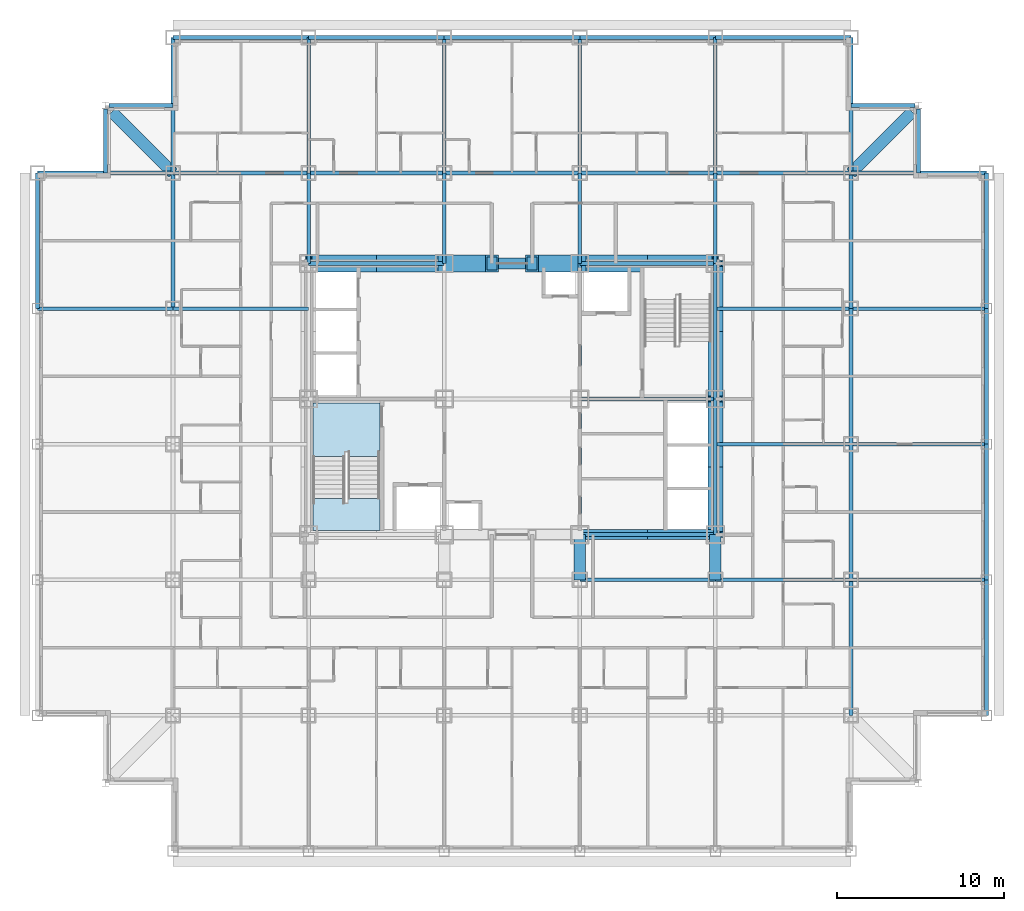
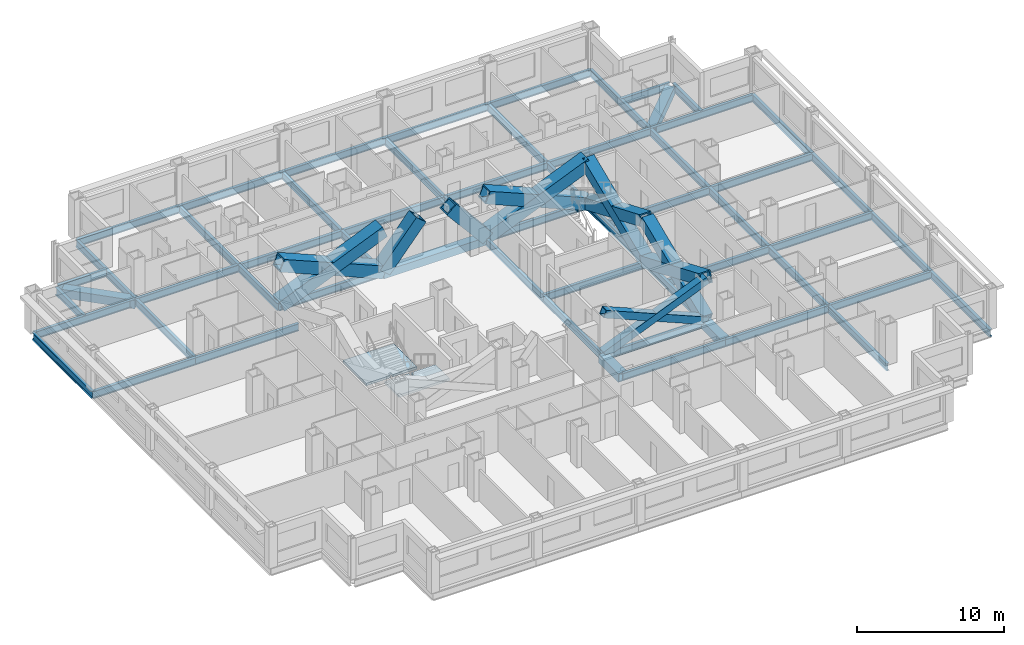
# One storey, part 2 of 12: 58 beams, 12 members, 2 slabs, 1 element without a shape of its own.
"""IFC4 building model written with IfcOpenShell, lengths in metres."""

from ifc_helpers import new_model, si_unit, direction, frame, origin, origin_2d, place, context, subcontext, project, spatial, polyline, hollow_rectangle, i_section, outline, extrude, material, layer, layer_set, material_profile, profile_set, type_object, element, aggregate, save


model = new_model("IFC4")

# Units and contexts
model_context = context("Model", 3, precision=1e-05, world=origin(), true_north=direction((0.0, 1.0)))
body_context = subcontext(model_context, "Body", "Model", "MODEL_VIEW")
ifc_project = project(units=[si_unit("LENGTHUNIT", "METRE"), si_unit("AREAUNIT", "SQUARE_METRE"), si_unit("VOLUMEUNIT", "CUBIC_METRE"), si_unit("PLANEANGLEUNIT", "RADIAN"), si_unit("MASSUNIT", "GRAM", prefix="KILO")], contexts=[model_context])

# Site, building, storey
site_placement = place(None, origin())
site = spatial("IfcSite", under=ifc_project, at=site_placement, CompositionType="ELEMENT")
building_placement = place(site_placement, origin())
building = spatial("IfcBuilding", under=site, at=building_placement, Name="Kopane Lantern Tower", CompositionType="ELEMENT")
storey_placement = place(building_placement, frame((0.0, 0.0, 117.0)))
storey = spatial("IfcBuildingStorey", under=building, at=storey_placement, Name="L29", CompositionType="ELEMENT", Elevation=117.0)

# Members
ifc_material_1 = material(Name="Steel S355JR", Category="steel")
ifc_material_profile_1 = material_profile(ifc_material_1, hollow_rectangle(XDim=1.0, YDim=1.0, WallThickness=0.10009765625, at=origin_2d()), Name="BOX 1000x1000x100")
ifc_profile_set_1 = profile_set([ifc_material_profile_1], Name="Steel S355JR")
member_type_1 = type_object("IfcMemberType", Name="BRACE BOX 1000x1000x100", PredefinedType="BRACE", material=ifc_profile_set_1)
for number, where, z_axis, x_axis, name in (
    (1, (16.199951171875, 40.5, -0.2099609375), (0.922069000757, 0.0, 0.387025526088), (0.0, 1.0, 0.0), "Core brace L29"),
    (2, (24.300048828125, 40.5, -0.2099609375), (-0.922069000757, 0.0, 0.387025526088), (0.0, -1.0, 0.0), "Core brace L29"),
):
    element("IfcMember", number, at=place(storey_placement, frame(where, z_axis=z_axis, x_axis=x_axis)), inside=storey, type_object=member_type_1, Name=name, PredefinedType="BRACE", context=body_context, shape_type="SweptSolid", body=[
        extrude(hollow_rectangle(XDim=1.0, YDim=1.0, WallThickness=0.10009765625, at=origin_2d()), origin(), (0.0, 0.0, 1.0), 8.78466796875),
    ])
for number, where, z_axis, x_axis, name in (
    (3, (24.300048828125, 40.5, -0.2099609375), (0.642390257445, 0.0, 0.7663776857), (0.0, 1.0, 0.0), "Core brace L29"),
    (4, (32.39990234375, 40.5, -0.2099609375), (-0.642390257445, 0.0, 0.7663776857), (0.0, -1.0, 0.0), "Core brace L29"),
):
    element("IfcMember", number, at=place(storey_placement, frame(where, z_axis=z_axis, x_axis=x_axis)), inside=storey, type_object=member_type_1, Name=name, PredefinedType="BRACE", context=body_context, shape_type="SweptSolid", body=[
        extrude(hollow_rectangle(XDim=1.0, YDim=1.0, WallThickness=0.10009765625, at=origin_2d()), origin(), (0.0, 0.0, 1.0), 4.436279296875),
    ])
for number, where, z_axis, x_axis, name in (
    (5, (32.39990234375, 40.5, -0.2099609375), (0.922069000757, 0.0, 0.387025526088), (0.0, 1.0, 0.0), "Core brace L29"),
    (6, (40.5, 40.5, -0.2099609375), (-0.922069000757, 0.0, 0.387025526088), (0.0, -1.0, 0.0), "Core brace L29"),
):
    element("IfcMember", number, at=place(storey_placement, frame(where, z_axis=z_axis, x_axis=x_axis)), inside=storey, type_object=member_type_1, Name=name, PredefinedType="BRACE", context=body_context, shape_type="SweptSolid", body=[
        extrude(hollow_rectangle(XDim=1.0, YDim=1.0, WallThickness=0.10009765625, at=origin_2d()), origin(), (0.0, 0.0, 1.0), 8.78466796875),
    ])
ifc_material_2 = material(Name="Steel S355JR", Category="steel")
ifc_material_profile_2 = material_profile(ifc_material_2, hollow_rectangle(XDim=0.60009765625, YDim=0.60009765625, WallThickness=0.050048828125, at=origin_2d()), Name="BOX 600x600x50")
ifc_profile_set_2 = profile_set([ifc_material_profile_2], Name="Steel S355JR")
member_type_2 = type_object("IfcMemberType", Name="BRACE BOX 600x600x50", PredefinedType="BRACE", material=ifc_profile_set_2)
for number, where, z_axis, x_axis, name in (
    (7, (32.39990234375, 24.300048828125, -0.2099609375), (0.922069000757, 0.0, 0.387025526088), (0.0, 1.0, 0.0), "Core brace L29"),
    (8, (40.5, 24.300048828125, -0.2099609375), (-0.922069000757, 0.0, 0.387025526088), (0.0, -1.0, 0.0), "Core brace L29"),
):
    element("IfcMember", number, at=place(storey_placement, frame(where, z_axis=z_axis, x_axis=x_axis)), inside=storey, type_object=member_type_2, Name=name, PredefinedType="BRACE", context=body_context, shape_type="SweptSolid", body=[
        extrude(hollow_rectangle(XDim=0.60009765625, YDim=0.60009765625, WallThickness=0.050048828125, at=origin_2d()), origin(), (0.0, 0.0, 1.0), 8.78466796875),
    ])
ifc_material_3 = material(Name="Steel S355JR", Category="steel")
ifc_material_profile_3 = material_profile(ifc_material_3, hollow_rectangle(XDim=0.89990234375, YDim=0.89990234375, WallThickness=0.090087890625, at=origin_2d()), Name="BOX 900x900x90")
ifc_profile_set_3 = profile_set([ifc_material_profile_3], Name="Steel S355JR")
member_type_3 = type_object("IfcMemberType", Name="BRACE BOX 900x900x90", PredefinedType="BRACE", material=ifc_profile_set_3)
for number, where, z_axis, x_axis, name in (
    (9, (40.5, 24.300048828125, -0.2099609375), (0.0, 0.922064837731, 0.38703544414), (-1.0, 0.0, 0.0), "Core brace L29"),
    (10, (40.5, 32.39990234375, -0.2099609375), (0.0, -0.922064837731, 0.38703544414), (1.0, 0.0, 0.0), "Core brace L29"),
):
    element("IfcMember", number, at=place(storey_placement, frame(where, z_axis=z_axis, x_axis=x_axis)), inside=storey, type_object=member_type_3, Name=name, PredefinedType="BRACE", context=body_context, shape_type="SweptSolid", body=[
        extrude(hollow_rectangle(XDim=0.89990234375, YDim=0.89990234375, WallThickness=0.090087890625, at=origin_2d()), origin(), (0.0, 0.0, 1.0), 8.784423828125),
    ])
for number, where, z_axis, x_axis, name in (
    (11, (40.5, 32.39990234375, -0.2099609375), (0.0, 0.922069000757, 0.387025526088), (-1.0, 0.0, 0.0), "Core brace L29"),
    (12, (40.5, 40.5, -0.2099609375), (0.0, -0.922069000757, 0.387025526088), (1.0, 0.0, 0.0), "Core brace L29"),
):
    element("IfcMember", number, at=place(storey_placement, frame(where, z_axis=z_axis, x_axis=x_axis)), inside=storey, type_object=member_type_3, Name=name, PredefinedType="BRACE", context=body_context, shape_type="SweptSolid", body=[
        extrude(hollow_rectangle(XDim=0.89990234375, YDim=0.89990234375, WallThickness=0.090087890625, at=origin_2d()), origin(), (0.0, 0.0, 1.0), 8.78466796875),
    ])

# Beams
ifc_material_4 = material(Name="Steel S355JR", Category="steel")
ifc_material_profile_4 = material_profile(ifc_material_4, i_section(OverallWidth=0.22900390625, OverallDepth=0.6123046875, WebThickness=0.011962890625, FlangeThickness=0.01953125, FilletRadius=0.0126953125, at=origin_2d()), Name="UB 610x229x125")
ifc_profile_set_4 = profile_set([ifc_material_profile_4], Name="Steel S355JR")
beam_type_1 = type_object("IfcBeamType", Name="CORE BEAM UB 610x229x125", PredefinedType="BEAM", material=ifc_profile_set_4)
beam_1_placement = place(storey_placement, frame((32.39990234375, 24.300048828125, -0.51611328125), z_axis=(0.0, 1.0, 0.0), x_axis=(-1.0, 0.0, 0.0)))
element("IfcBeam", 13, at=beam_1_placement, inside=storey, type_object=beam_type_1, Name="Core Beam L29", PredefinedType="BEAM", context=body_context, shape_type="SweptSolid", body=[
    extrude(i_section(OverallWidth=0.22900390625, OverallDepth=0.6123046875, WebThickness=0.011962890625, FlangeThickness=0.01953125, FilletRadius=0.0126953125, at=origin_2d()), origin(), (0.0, 0.0, 1.0), 8.099853515625),
])
for number, where, z_axis, x_axis, name in (
    (14, (32.39990234375, 32.39990234375, -0.51611328125), (0.0, 1.0, 0.0), (-1.0, 0.0, 0.0), "Core Beam L29"),
    (15, (32.39990234375, 32.39990234375, -0.51611328125), (1.0, 0.0, 0.0), (0.0, 1.0, 0.0), "Core Beam L29"),
):
    element("IfcBeam", number, at=place(storey_placement, frame(where, z_axis=z_axis, x_axis=x_axis)), inside=storey, type_object=beam_type_1, Name=name, PredefinedType="BEAM", context=body_context, shape_type="SweptSolid", body=[
        extrude(i_section(OverallWidth=0.22900390625, OverallDepth=0.6123046875, WebThickness=0.011962890625, FlangeThickness=0.01953125, FilletRadius=0.0126953125, at=origin_2d()), origin(), (0.0, 0.0, 1.0), 8.10009765625),
    ])
ifc_material_5 = material(Name="Steel S355JR", Category="steel")
ifc_material_profile_5 = material_profile(ifc_material_5, hollow_rectangle(XDim=0.699951171875, YDim=0.699951171875, WallThickness=0.06005859375, at=origin_2d()), Name="BOX 700x700x60")
ifc_profile_set_5 = profile_set([ifc_material_profile_5], Name="Steel S355JR")
beam_type_2 = type_object("IfcBeamType", Name="CORNER TIE BEAM BOX 700x700x60", PredefinedType="BEAM", material=ifc_profile_set_5)
beam_2_placement = place(storey_placement, frame((4.447509765625, 49.552490234375, -0.56005859375), z_axis=(0.707106781187, -0.707106781187, 0.0), x_axis=(0.707106781187, 0.707106781187, 0.0)))
element("IfcBeam", 16, at=beam_2_placement, inside=storey, type_object=beam_type_2, Name="Corner Tie Beam L29", PredefinedType="BEAM", context=body_context, shape_type="SweptSolid", body=[
    extrude(hollow_rectangle(XDim=0.699951171875, YDim=0.699951171875, WallThickness=0.06005859375, at=origin_2d()), origin(), (0.0, 0.0, 1.0), 5.16552734375),
])
beam_3_placement = place(storey_placement, frame((52.25244140625, 49.552490234375, -0.56005859375), z_axis=(-0.707083148333, -0.70713041325, 0.0), x_axis=(0.70713041325, -0.707083148333, 0.0)))
element("IfcBeam", 17, at=beam_3_placement, inside=storey, type_object=beam_type_2, Name="Corner Tie Beam L29", PredefinedType="BEAM", context=body_context, shape_type="SweptSolid", body=[
    extrude(hollow_rectangle(XDim=0.699951171875, YDim=0.699951171875, WallThickness=0.06005859375, at=origin_2d()), origin(), (0.0, 0.0, 1.0), 5.165283203125),
])
ifc_material_6 = material(Name="Steel S355JR", Category="steel")
ifc_material_profile_6 = material_profile(ifc_material_6, i_section(OverallWidth=0.22900390625, OverallDepth=0.6123046875, WebThickness=0.011962890625, FlangeThickness=0.01953125, FilletRadius=0.0126953125, at=origin_2d()), Name="UB 610x229x125")
ifc_profile_set_6 = profile_set([ifc_material_profile_6], Name="Steel S355JR")
beam_type_3 = type_object("IfcBeamType", Name="EDGE BEAM UB 610x229x125", PredefinedType="BEAM", material=ifc_profile_set_6)
for number, where, z_axis, x_axis, name in (
    (18, (4.050048828125, 49.74658203125, -0.51611328125), (0.0, -1.0, 0.0), (1.0, 0.0, 0.0), "Edge Beam L29"),
    (19, (4.25341796875, 49.949951171875, -0.51611328125), (1.0, 0.0, 0.0), (0.0, 1.0, 0.0), "Edge Beam L29"),
):
    element("IfcBeam", number, at=place(storey_placement, frame(where, z_axis=z_axis, x_axis=x_axis)), inside=storey, type_object=beam_type_3, Name=name, PredefinedType="BEAM", context=body_context, shape_type="SweptSolid", body=[
        extrude(i_section(OverallWidth=0.22900390625, OverallDepth=0.6123046875, WebThickness=0.011962890625, FlangeThickness=0.01953125, FilletRadius=0.0126953125, at=origin_2d()), origin(), (0.0, 0.0, 1.0), 3.8466796875),
    ])
beam_4_placement = place(storey_placement, frame((52.446533203125, 49.949951171875, -0.51611328125), z_axis=(-1.0, 0.0, 0.0), x_axis=(0.0, -1.0, 0.0)))
element("IfcBeam", 20, at=beam_4_placement, inside=storey, type_object=beam_type_3, Name="Edge Beam L29", PredefinedType="BEAM", context=body_context, shape_type="SweptSolid", body=[
    extrude(i_section(OverallWidth=0.22900390625, OverallDepth=0.6123046875, WebThickness=0.011962890625, FlangeThickness=0.01953125, FilletRadius=0.0126953125, at=origin_2d()), origin(), (0.0, 0.0, 1.0), 3.846435546875),
])
beam_5_placement = place(storey_placement, frame((52.64990234375, 49.74658203125, -0.51611328125), z_axis=(0.0, -1.0, 0.0), x_axis=(1.0, 0.0, 0.0)))
element("IfcBeam", 21, at=beam_5_placement, inside=storey, type_object=beam_type_3, Name="Edge Beam L29", PredefinedType="BEAM", context=body_context, shape_type="SweptSolid", body=[
    extrude(i_section(OverallWidth=0.22900390625, OverallDepth=0.6123046875, WebThickness=0.011962890625, FlangeThickness=0.01953125, FilletRadius=0.0126953125, at=origin_2d()), origin(), (0.0, 0.0, 1.0), 3.8466796875),
])
ifc_material_7 = material(Name="Steel S355JR", Category="steel")
ifc_material_profile_7 = material_profile(ifc_material_7, hollow_rectangle(XDim=0.699951171875, YDim=0.699951171875, WallThickness=0.06005859375, at=origin_2d()), Name="BOX 700x700x60")
ifc_profile_set_7 = profile_set([ifc_material_profile_7], Name="Steel S355JR")
beam_type_4 = type_object("IfcBeamType", Name="GIRDER BOX 700x700x60", PredefinedType="BEAM", material=ifc_profile_set_7)
for number, where, z_axis, x_axis, name in (
    (22, (32.39990234375, 21.60009765625, -0.56005859375), (0.0, 1.0, 0.0), (-1.0, 0.0, 0.0), "Girder L29"),
    (23, (40.5, 21.60009765625, -0.56005859375), (0.0, 1.0, 0.0), (-1.0, 0.0, 0.0), "Girder L29"),
):
    element("IfcBeam", number, at=place(storey_placement, frame(where, z_axis=z_axis, x_axis=x_axis)), inside=storey, type_object=beam_type_4, Name=name, PredefinedType="BEAM", context=body_context, shape_type="SweptSolid", body=[
        extrude(hollow_rectangle(XDim=0.699951171875, YDim=0.699951171875, WallThickness=0.06005859375, at=origin_2d()), origin(), (0.0, 0.0, 1.0), 2.699951171875),
    ])
ifc_material_8 = material(Name="Steel S355JR", Category="steel")
ifc_material_profile_8 = material_profile(ifc_material_8, i_section(OverallWidth=0.22900390625, OverallDepth=0.6123046875, WebThickness=0.011962890625, FlangeThickness=0.01953125, FilletRadius=0.0126953125, at=origin_2d()), Name="UB 610x229x125")
ifc_profile_set_8 = profile_set([ifc_material_profile_8], Name="Steel S355JR")
beam_type_5 = type_object("IfcBeamType", Name="GIRDER UB 610x229x125", PredefinedType="BEAM", material=ifc_profile_set_8)
beam_6_placement = place(storey_placement, frame((0.0, 37.800048828125, -0.51611328125), z_axis=(0.0, 1.0, 0.0), x_axis=(-1.0, 0.0, 0.0)))
element("IfcBeam", 24, at=beam_6_placement, inside=storey, type_object=beam_type_5, Name="Girder L29", PredefinedType="BEAM", context=body_context, shape_type="SweptSolid", body=[
    extrude(i_section(OverallWidth=0.22900390625, OverallDepth=0.6123046875, WebThickness=0.011962890625, FlangeThickness=0.01953125, FilletRadius=0.0126953125, at=origin_2d()), origin(), (0.0, 0.0, 1.0), 8.099853515625),
])
for number, where, z_axis, x_axis, name in (
    (25, (0.0, 37.800048828125, -0.51611328125), (1.0, 0.0, 0.0), (0.0, 1.0, 0.0), "Girder L29"),
    (26, (0.0, 45.89990234375, -0.51611328125), (1.0, 0.0, 0.0), (0.0, 1.0, 0.0), "Girder L29"),
):
    element("IfcBeam", number, at=place(storey_placement, frame(where, z_axis=z_axis, x_axis=x_axis)), inside=storey, type_object=beam_type_5, Name=name, PredefinedType="BEAM", context=body_context, shape_type="SweptSolid", body=[
        extrude(i_section(OverallWidth=0.22900390625, OverallDepth=0.6123046875, WebThickness=0.011962890625, FlangeThickness=0.01953125, FilletRadius=0.0126953125, at=origin_2d()), origin(), (0.0, 0.0, 1.0), 8.10009765625),
    ])
for number, where, z_axis, x_axis, name in (
    (27, (8.10009765625, 37.800048828125, -0.51611328125), (0.0, 1.0, 0.0), (-1.0, 0.0, 0.0), "Girder L29"),
    (28, (8.10009765625, 37.800048828125, -0.51611328125), (1.0, 0.0, 0.0), (0.0, 1.0, 0.0), "Girder L29"),
):
    element("IfcBeam", number, at=place(storey_placement, frame(where, z_axis=z_axis, x_axis=x_axis)), inside=storey, type_object=beam_type_5, Name=name, PredefinedType="BEAM", context=body_context, shape_type="SweptSolid", body=[
        extrude(i_section(OverallWidth=0.22900390625, OverallDepth=0.6123046875, WebThickness=0.011962890625, FlangeThickness=0.01953125, FilletRadius=0.0126953125, at=origin_2d()), origin(), (0.0, 0.0, 1.0), 8.099853515625),
    ])
beam_7_placement = place(storey_placement, frame((8.10009765625, 45.89990234375, -0.51611328125), z_axis=(0.0, 1.0, 0.0), x_axis=(-1.0, 0.0, 0.0)))
element("IfcBeam", 29, at=beam_7_placement, inside=storey, type_object=beam_type_5, Name="Girder L29", PredefinedType="BEAM", context=body_context, shape_type="SweptSolid", body=[
    extrude(i_section(OverallWidth=0.22900390625, OverallDepth=0.6123046875, WebThickness=0.011962890625, FlangeThickness=0.01953125, FilletRadius=0.0126953125, at=origin_2d()), origin(), (0.0, 0.0, 1.0), 8.10009765625),
])
for number, where, z_axis, x_axis, name in (
    (30, (8.10009765625, 45.89990234375, -0.51611328125), (1.0, 0.0, 0.0), (0.0, 1.0, 0.0), "Girder L29"),
    (31, (8.10009765625, 54.0, -0.51611328125), (1.0, 0.0, 0.0), (0.0, 1.0, 0.0), "Girder L29"),
):
    element("IfcBeam", number, at=place(storey_placement, frame(where, z_axis=z_axis, x_axis=x_axis)), inside=storey, type_object=beam_type_5, Name=name, PredefinedType="BEAM", context=body_context, shape_type="SweptSolid", body=[
        extrude(i_section(OverallWidth=0.22900390625, OverallDepth=0.6123046875, WebThickness=0.011962890625, FlangeThickness=0.01953125, FilletRadius=0.0126953125, at=origin_2d()), origin(), (0.0, 0.0, 1.0), 8.099853515625),
    ])
beam_8_placement = place(storey_placement, frame((16.199951171875, 40.5, -0.51611328125), z_axis=(0.0, 1.0, 0.0), x_axis=(-1.0, 0.0, 0.0)))
element("IfcBeam", 32, at=beam_8_placement, inside=storey, type_object=beam_type_5, Name="Girder L29", PredefinedType="BEAM", context=body_context, shape_type="SweptSolid", body=[
    extrude(i_section(OverallWidth=0.22900390625, OverallDepth=0.6123046875, WebThickness=0.011962890625, FlangeThickness=0.01953125, FilletRadius=0.0126953125, at=origin_2d()), origin(), (0.0, 0.0, 1.0), 5.39990234375),
])
for number, where, z_axis, x_axis, name in (
    (33, (16.199951171875, 40.5, -0.51611328125), (1.0, 0.0, 0.0), (0.0, 1.0, 0.0), "Girder L29"),
    (34, (16.199951171875, 45.89990234375, -0.51611328125), (0.0, 1.0, 0.0), (-1.0, 0.0, 0.0), "Girder L29"),
    (35, (16.199951171875, 45.89990234375, -0.51611328125), (1.0, 0.0, 0.0), (0.0, 1.0, 0.0), "Girder L29"),
    (36, (16.199951171875, 54.0, -0.51611328125), (1.0, 0.0, 0.0), (0.0, 1.0, 0.0), "Girder L29"),
):
    element("IfcBeam", number, at=place(storey_placement, frame(where, z_axis=z_axis, x_axis=x_axis)), inside=storey, type_object=beam_type_5, Name=name, PredefinedType="BEAM", context=body_context, shape_type="SweptSolid", body=[
        extrude(i_section(OverallWidth=0.22900390625, OverallDepth=0.6123046875, WebThickness=0.011962890625, FlangeThickness=0.01953125, FilletRadius=0.0126953125, at=origin_2d()), origin(), (0.0, 0.0, 1.0), 8.10009765625),
    ])
beam_9_placement = place(storey_placement, frame((24.300048828125, 40.5, -0.51611328125), z_axis=(0.0, 1.0, 0.0), x_axis=(-1.0, 0.0, 0.0)))
element("IfcBeam", 37, at=beam_9_placement, inside=storey, type_object=beam_type_5, Name="Girder L29", PredefinedType="BEAM", context=body_context, shape_type="SweptSolid", body=[
    extrude(i_section(OverallWidth=0.22900390625, OverallDepth=0.6123046875, WebThickness=0.011962890625, FlangeThickness=0.01953125, FilletRadius=0.0126953125, at=origin_2d()), origin(), (0.0, 0.0, 1.0), 5.39990234375),
])
beam_10_placement = place(storey_placement, frame((24.300048828125, 45.89990234375, -0.51611328125), z_axis=(0.0, 1.0, 0.0), x_axis=(-1.0, 0.0, 0.0)))
element("IfcBeam", 38, at=beam_10_placement, inside=storey, type_object=beam_type_5, Name="Girder L29", PredefinedType="BEAM", context=body_context, shape_type="SweptSolid", body=[
    extrude(i_section(OverallWidth=0.22900390625, OverallDepth=0.6123046875, WebThickness=0.011962890625, FlangeThickness=0.01953125, FilletRadius=0.0126953125, at=origin_2d()), origin(), (0.0, 0.0, 1.0), 8.10009765625),
])
for number, where, z_axis, x_axis, name in (
    (39, (24.300048828125, 45.89990234375, -0.51611328125), (1.0, 0.0, 0.0), (0.0, 1.0, 0.0), "Girder L29"),
    (40, (24.300048828125, 54.0, -0.51611328125), (1.0, 0.0, 0.0), (0.0, 1.0, 0.0), "Girder L29"),
):
    element("IfcBeam", number, at=place(storey_placement, frame(where, z_axis=z_axis, x_axis=x_axis)), inside=storey, type_object=beam_type_5, Name=name, PredefinedType="BEAM", context=body_context, shape_type="SweptSolid", body=[
        extrude(i_section(OverallWidth=0.22900390625, OverallDepth=0.6123046875, WebThickness=0.011962890625, FlangeThickness=0.01953125, FilletRadius=0.0126953125, at=origin_2d()), origin(), (0.0, 0.0, 1.0), 8.099853515625),
    ])
for number, where, z_axis, x_axis, name in (
    (41, (32.39990234375, 21.60009765625, -0.51611328125), (1.0, 0.0, 0.0), (0.0, 1.0, 0.0), "Girder L29"),
    (42, (32.39990234375, 24.300048828125, -0.51611328125), (1.0, 0.0, 0.0), (0.0, 1.0, 0.0), "Girder L29"),
):
    element("IfcBeam", number, at=place(storey_placement, frame(where, z_axis=z_axis, x_axis=x_axis)), inside=storey, type_object=beam_type_5, Name=name, PredefinedType="BEAM", context=body_context, shape_type="SweptSolid", body=[
        extrude(i_section(OverallWidth=0.22900390625, OverallDepth=0.6123046875, WebThickness=0.011962890625, FlangeThickness=0.01953125, FilletRadius=0.0126953125, at=origin_2d()), origin(), (0.0, 0.0, 1.0), 8.10009765625),
    ])
beam_11_placement = place(storey_placement, frame((32.39990234375, 40.5, -0.51611328125), z_axis=(0.0, 1.0, 0.0), x_axis=(-1.0, 0.0, 0.0)))
element("IfcBeam", 43, at=beam_11_placement, inside=storey, type_object=beam_type_5, Name="Girder L29", PredefinedType="BEAM", context=body_context, shape_type="SweptSolid", body=[
    extrude(i_section(OverallWidth=0.22900390625, OverallDepth=0.6123046875, WebThickness=0.011962890625, FlangeThickness=0.01953125, FilletRadius=0.0126953125, at=origin_2d()), origin(), (0.0, 0.0, 1.0), 5.39990234375),
])
for number, where, z_axis, x_axis, name in (
    (44, (32.39990234375, 40.5, -0.51611328125), (1.0, 0.0, 0.0), (0.0, 1.0, 0.0), "Girder L29"),
    (45, (32.39990234375, 45.89990234375, -0.51611328125), (0.0, 1.0, 0.0), (-1.0, 0.0, 0.0), "Girder L29"),
    (46, (32.39990234375, 45.89990234375, -0.51611328125), (1.0, 0.0, 0.0), (0.0, 1.0, 0.0), "Girder L29"),
    (47, (32.39990234375, 54.0, -0.51611328125), (1.0, 0.0, 0.0), (0.0, 1.0, 0.0), "Girder L29"),
    (48, (40.5, 21.60009765625, -0.51611328125), (1.0, 0.0, 0.0), (0.0, 1.0, 0.0), "Girder L29"),
):
    element("IfcBeam", number, at=place(storey_placement, frame(where, z_axis=z_axis, x_axis=x_axis)), inside=storey, type_object=beam_type_5, Name=name, PredefinedType="BEAM", context=body_context, shape_type="SweptSolid", body=[
        extrude(i_section(OverallWidth=0.22900390625, OverallDepth=0.6123046875, WebThickness=0.011962890625, FlangeThickness=0.01953125, FilletRadius=0.0126953125, at=origin_2d()), origin(), (0.0, 0.0, 1.0), 8.10009765625),
    ])
beam_12_placement = place(storey_placement, frame((40.5, 24.300048828125, -0.51611328125), z_axis=(0.0, 1.0, 0.0), x_axis=(-1.0, 0.0, 0.0)))
element("IfcBeam", 49, at=beam_12_placement, inside=storey, type_object=beam_type_5, Name="Girder L29", PredefinedType="BEAM", context=body_context, shape_type="SweptSolid", body=[
    extrude(i_section(OverallWidth=0.22900390625, OverallDepth=0.6123046875, WebThickness=0.011962890625, FlangeThickness=0.01953125, FilletRadius=0.0126953125, at=origin_2d()), origin(), (0.0, 0.0, 1.0), 8.099853515625),
])
for number, where, z_axis, x_axis, name in (
    (50, (40.5, 29.699951171875, -0.51611328125), (1.0, 0.0, 0.0), (0.0, 1.0, 0.0), "Girder L29"),
    (51, (40.5, 32.39990234375, -0.51611328125), (0.0, 1.0, 0.0), (-1.0, 0.0, 0.0), "Girder L29"),
    (52, (40.5, 37.800048828125, -0.51611328125), (1.0, 0.0, 0.0), (0.0, 1.0, 0.0), "Girder L29"),
):
    element("IfcBeam", number, at=place(storey_placement, frame(where, z_axis=z_axis, x_axis=x_axis)), inside=storey, type_object=beam_type_5, Name=name, PredefinedType="BEAM", context=body_context, shape_type="SweptSolid", body=[
        extrude(i_section(OverallWidth=0.22900390625, OverallDepth=0.6123046875, WebThickness=0.011962890625, FlangeThickness=0.01953125, FilletRadius=0.0126953125, at=origin_2d()), origin(), (0.0, 0.0, 1.0), 8.10009765625),
    ])
beam_13_placement = place(storey_placement, frame((40.5, 40.5, -0.51611328125), z_axis=(0.0, 1.0, 0.0), x_axis=(-1.0, 0.0, 0.0)))
element("IfcBeam", 53, at=beam_13_placement, inside=storey, type_object=beam_type_5, Name="Girder L29", PredefinedType="BEAM", context=body_context, shape_type="SweptSolid", body=[
    extrude(i_section(OverallWidth=0.22900390625, OverallDepth=0.6123046875, WebThickness=0.011962890625, FlangeThickness=0.01953125, FilletRadius=0.0126953125, at=origin_2d()), origin(), (0.0, 0.0, 1.0), 5.39990234375),
])
for number, where, z_axis, x_axis, name in (
    (54, (40.5, 45.89990234375, -0.51611328125), (0.0, 1.0, 0.0), (-1.0, 0.0, 0.0), "Girder L29"),
    (55, (40.5, 45.89990234375, -0.51611328125), (1.0, 0.0, 0.0), (0.0, 1.0, 0.0), "Girder L29"),
    (56, (40.5, 54.0, -0.51611328125), (1.0, 0.0, 0.0), (0.0, 1.0, 0.0), "Girder L29"),
    (57, (48.60009765625, 13.5, -0.51611328125), (0.0, 1.0, 0.0), (-1.0, 0.0, 0.0), "Girder L29"),
):
    element("IfcBeam", number, at=place(storey_placement, frame(where, z_axis=z_axis, x_axis=x_axis)), inside=storey, type_object=beam_type_5, Name=name, PredefinedType="BEAM", context=body_context, shape_type="SweptSolid", body=[
        extrude(i_section(OverallWidth=0.22900390625, OverallDepth=0.6123046875, WebThickness=0.011962890625, FlangeThickness=0.01953125, FilletRadius=0.0126953125, at=origin_2d()), origin(), (0.0, 0.0, 1.0), 8.10009765625),
    ])
for number, where, z_axis, x_axis, name in (
    (58, (48.60009765625, 21.60009765625, -0.51611328125), (0.0, 1.0, 0.0), (-1.0, 0.0, 0.0), "Girder L29"),
    (59, (48.60009765625, 21.60009765625, -0.51611328125), (1.0, 0.0, 0.0), (0.0, 1.0, 0.0), "Girder L29"),
):
    element("IfcBeam", number, at=place(storey_placement, frame(where, z_axis=z_axis, x_axis=x_axis)), inside=storey, type_object=beam_type_5, Name=name, PredefinedType="BEAM", context=body_context, shape_type="SweptSolid", body=[
        extrude(i_section(OverallWidth=0.22900390625, OverallDepth=0.6123046875, WebThickness=0.011962890625, FlangeThickness=0.01953125, FilletRadius=0.0126953125, at=origin_2d()), origin(), (0.0, 0.0, 1.0), 8.099853515625),
    ])
beam_14_placement = place(storey_placement, frame((48.60009765625, 29.699951171875, -0.51611328125), z_axis=(0.0, 1.0, 0.0), x_axis=(-1.0, 0.0, 0.0)))
element("IfcBeam", 60, at=beam_14_placement, inside=storey, type_object=beam_type_5, Name="Girder L29", PredefinedType="BEAM", context=body_context, shape_type="SweptSolid", body=[
    extrude(i_section(OverallWidth=0.22900390625, OverallDepth=0.6123046875, WebThickness=0.011962890625, FlangeThickness=0.01953125, FilletRadius=0.0126953125, at=origin_2d()), origin(), (0.0, 0.0, 1.0), 8.10009765625),
])
for number, where, z_axis, x_axis, name in (
    (61, (48.60009765625, 29.699951171875, -0.51611328125), (1.0, 0.0, 0.0), (0.0, 1.0, 0.0), "Girder L29"),
    (62, (48.60009765625, 37.800048828125, -0.51611328125), (0.0, 1.0, 0.0), (-1.0, 0.0, 0.0), "Girder L29"),
    (63, (48.60009765625, 37.800048828125, -0.51611328125), (1.0, 0.0, 0.0), (0.0, 1.0, 0.0), "Girder L29"),
):
    element("IfcBeam", number, at=place(storey_placement, frame(where, z_axis=z_axis, x_axis=x_axis)), inside=storey, type_object=beam_type_5, Name=name, PredefinedType="BEAM", context=body_context, shape_type="SweptSolid", body=[
        extrude(i_section(OverallWidth=0.22900390625, OverallDepth=0.6123046875, WebThickness=0.011962890625, FlangeThickness=0.01953125, FilletRadius=0.0126953125, at=origin_2d()), origin(), (0.0, 0.0, 1.0), 8.099853515625),
    ])
beam_15_placement = place(storey_placement, frame((48.60009765625, 45.89990234375, -0.51611328125), z_axis=(0.0, 1.0, 0.0), x_axis=(-1.0, 0.0, 0.0)))
element("IfcBeam", 64, at=beam_15_placement, inside=storey, type_object=beam_type_5, Name="Girder L29", PredefinedType="BEAM", context=body_context, shape_type="SweptSolid", body=[
    extrude(i_section(OverallWidth=0.22900390625, OverallDepth=0.6123046875, WebThickness=0.011962890625, FlangeThickness=0.01953125, FilletRadius=0.0126953125, at=origin_2d()), origin(), (0.0, 0.0, 1.0), 8.10009765625),
])
beam_16_placement = place(storey_placement, frame((48.60009765625, 45.89990234375, -0.51611328125), z_axis=(1.0, 0.0, 0.0), x_axis=(0.0, 1.0, 0.0)))
element("IfcBeam", 65, at=beam_16_placement, inside=storey, type_object=beam_type_5, Name="Girder L29", PredefinedType="BEAM", context=body_context, shape_type="SweptSolid", body=[
    extrude(i_section(OverallWidth=0.22900390625, OverallDepth=0.6123046875, WebThickness=0.011962890625, FlangeThickness=0.01953125, FilletRadius=0.0126953125, at=origin_2d()), origin(), (0.0, 0.0, 1.0), 8.099853515625),
])
beam_17_placement = place(storey_placement, frame((56.699951171875, 13.5, -0.51611328125), z_axis=(0.0, 1.0, 0.0), x_axis=(-1.0, 0.0, 0.0)))
element("IfcBeam", 66, at=beam_17_placement, inside=storey, type_object=beam_type_5, Name="Girder L29", PredefinedType="BEAM", context=body_context, shape_type="SweptSolid", body=[
    extrude(i_section(OverallWidth=0.22900390625, OverallDepth=0.6123046875, WebThickness=0.011962890625, FlangeThickness=0.01953125, FilletRadius=0.0126953125, at=origin_2d()), origin(), (0.0, 0.0, 1.0), 8.10009765625),
])
beam_18_placement = place(storey_placement, frame((56.699951171875, 21.60009765625, -0.51611328125), z_axis=(0.0, 1.0, 0.0), x_axis=(-1.0, 0.0, 0.0)))
element("IfcBeam", 67, at=beam_18_placement, inside=storey, type_object=beam_type_5, Name="Girder L29", PredefinedType="BEAM", context=body_context, shape_type="SweptSolid", body=[
    extrude(i_section(OverallWidth=0.22900390625, OverallDepth=0.6123046875, WebThickness=0.011962890625, FlangeThickness=0.01953125, FilletRadius=0.0126953125, at=origin_2d()), origin(), (0.0, 0.0, 1.0), 8.099853515625),
])
beam_19_placement = place(storey_placement, frame((56.699951171875, 29.699951171875, -0.51611328125), z_axis=(0.0, 1.0, 0.0), x_axis=(-1.0, 0.0, 0.0)))
element("IfcBeam", 68, at=beam_19_placement, inside=storey, type_object=beam_type_5, Name="Girder L29", PredefinedType="BEAM", context=body_context, shape_type="SweptSolid", body=[
    extrude(i_section(OverallWidth=0.22900390625, OverallDepth=0.6123046875, WebThickness=0.011962890625, FlangeThickness=0.01953125, FilletRadius=0.0126953125, at=origin_2d()), origin(), (0.0, 0.0, 1.0), 8.10009765625),
])
beam_20_placement = place(storey_placement, frame((56.699951171875, 37.800048828125, -0.51611328125), z_axis=(0.0, 1.0, 0.0), x_axis=(-1.0, 0.0, 0.0)))
element("IfcBeam", 69, at=beam_20_placement, inside=storey, type_object=beam_type_5, Name="Girder L29", PredefinedType="BEAM", context=body_context, shape_type="SweptSolid", body=[
    extrude(i_section(OverallWidth=0.22900390625, OverallDepth=0.6123046875, WebThickness=0.011962890625, FlangeThickness=0.01953125, FilletRadius=0.0126953125, at=origin_2d()), origin(), (0.0, 0.0, 1.0), 8.099853515625),
])
ifc_material_9 = material(Name="Steel S355JR", Category="steel")
ifc_material_profile_9 = material_profile(ifc_material_9, hollow_rectangle(XDim=0.64990234375, YDim=0.64990234375, WallThickness=0.070068359375, at=origin_2d()), Name="BOX 650x650x70")
ifc_profile_set_9 = profile_set([ifc_material_profile_9], Name="Steel S355JR")
beam_type_6 = type_object("IfcBeamType", Name="LINK BEAM BOX 650x650x70", PredefinedType="BEAM", material=ifc_profile_set_9)
beam_21_placement = place(storey_placement, frame((24.300048828125, 40.5, -0.534912109375), z_axis=(1.0, 0.0, 0.0), x_axis=(0.0, 1.0, 0.0)))
element("IfcBeam", 70, at=beam_21_placement, inside=storey, type_object=beam_type_6, Name="Link Beam L29", PredefinedType="BEAM", context=body_context, shape_type="SweptSolid", body=[
    extrude(hollow_rectangle(XDim=0.64990234375, YDim=0.64990234375, WallThickness=0.070068359375, at=origin_2d()), origin(), (0.0, 0.0, 1.0), 8.099853515625),
])

# Stair, slabs
ifc_material_10 = material(Name="Steel S355JR", Category="steel")
stair_type = type_object("IfcStairType", Name="EXIT STAIR 1900 HALF TURN", PredefinedType="HALF_TURN_STAIR", material=ifc_material_10)
stair_placement = place(storey_placement, origin())
stair = element("IfcStair", 71, at=stair_placement, inside=storey, type_object=stair_type, Name="Exit stair ST1 L29", PredefinedType="HALF_TURN_STAIR")
ifc_material_11 = material(Name="Concrete C40/50", Category="concrete")
ifc_layer = layer(ifc_material_11, 0.199951171875)
ifc_layer_set = layer_set([ifc_layer], Name="STAIR LANDING 200")
slab_type = type_object("IfcSlabType", Name="STAIR LANDING 200", PredefinedType="LANDING", material=ifc_layer_set)
slab_1_placement = place(storey_placement, frame((0.0, 0.0, -0.199951171875)))
slab_1 = element("IfcSlab", 72, at=slab_1_placement, type_object=slab_type, Name="ST1 landing 1", PredefinedType="LANDING", context=body_context, shape_type="SweptSolid", body=[
    extrude(outline(polyline([(18.35009765625, 29.25), (18.550048828125, 29.25), (18.550048828125, 28.969970703125), (20.449951171875, 28.969970703125), (20.449951171875, 32.14990234375), (16.449951171875, 32.14990234375), (16.449951171875, 28.969970703125), (18.35009765625, 28.969970703125), (18.35009765625, 29.25)])), origin(), (0.0, 0.0, 1.0), 0.199951171875),
])
slab_2_placement = place(storey_placement, frame((0.0, 0.0, 1.5)))
slab_2 = element("IfcSlab", 73, at=slab_2_placement, type_object=slab_type, Name="ST1 landing 2", PredefinedType="LANDING", context=body_context, shape_type="SweptSolid", body=[
    extrude(outline(polyline([(20.449951171875, 26.449951171875), (18.550048828125, 26.449951171875), (18.550048828125, 26.169921875), (18.35009765625, 26.169921875), (18.35009765625, 26.449951171875), (16.449951171875, 26.449951171875), (16.449951171875, 24.550048828125), (20.449951171875, 24.550048828125), (20.449951171875, 26.449951171875)])), origin(), (0.0, 0.0, 1.0), 0.199951171875),
])
aggregate(stair, [slab_1, slab_2])

save(model, "model.ifc")
